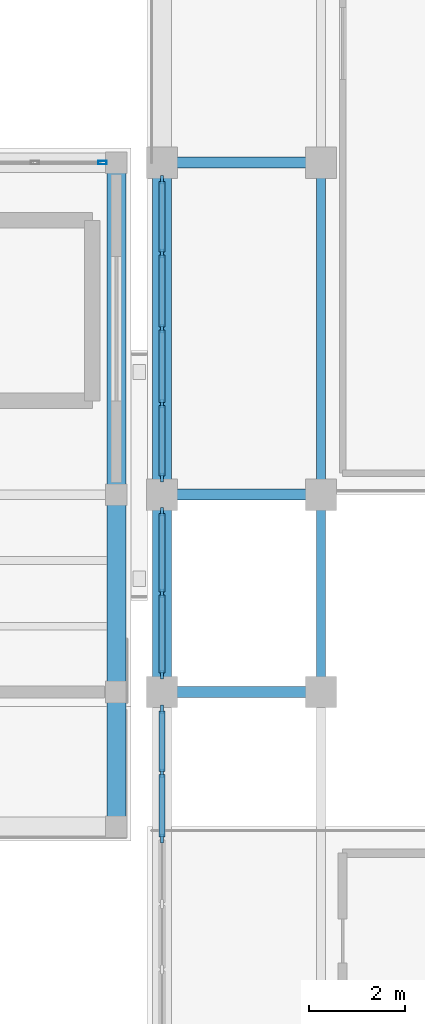
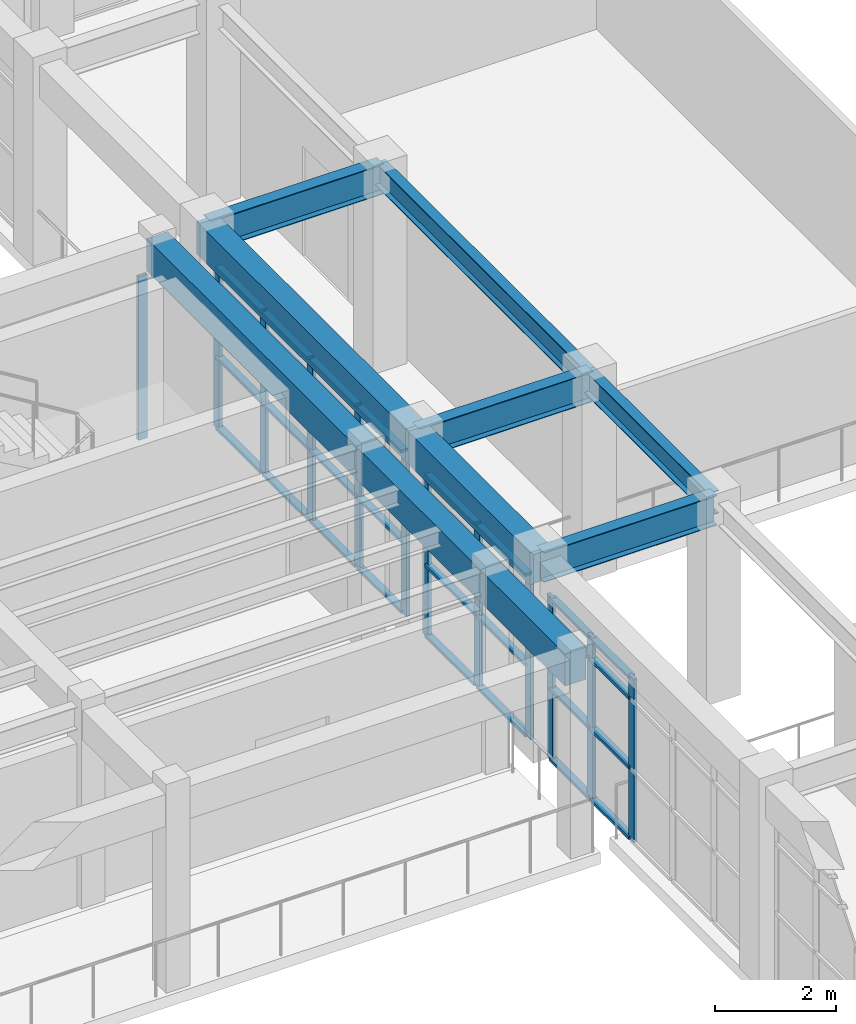
# One storey, part 20 of 66: 44 members, 10 beams, 4 elements without a shape of their own.
"""IFC4 building model written with IfcOpenShell, lengths in metres."""

from ifc_helpers import new_model, si_unit, direction, frame, origin, origin_2d, place, context, subcontext, project, spatial, rectangle, hollow_rectangle, i_section, extrude, material, layer, layer_set, material_profile, profile_set, type_object, element, aggregate, save


model = new_model("IFC4")

# Units and contexts
model_context = context("Model", 3, precision=1e-05, world=origin(), true_north=direction((0.0, 1.0)))
body_context = subcontext(model_context, "Body", "Model", "MODEL_VIEW")
ifc_project = project(units=[si_unit("LENGTHUNIT", "METRE"), si_unit("AREAUNIT", "SQUARE_METRE"), si_unit("VOLUMEUNIT", "CUBIC_METRE"), si_unit("PLANEANGLEUNIT", "RADIAN"), si_unit("MASSUNIT", "GRAM", prefix="KILO")], contexts=[model_context])

# Site, building, storey
site_placement = place(None, origin())
site = spatial("IfcSite", under=ifc_project, at=site_placement, CompositionType="ELEMENT")
building_placement = place(site_placement, origin())
building = spatial("IfcBuilding", under=site, at=building_placement, Name="Candilejo Ridge Gondola Terminal", CompositionType="ELEMENT")
storey_placement = place(building_placement, frame((0.0, 0.0, 14.39990234375)))
storey = spatial("IfcBuildingStorey", under=building, at=storey_placement, Name="L03", CompositionType="ELEMENT", Elevation=14.39990234375)

# Curtain wall, member
ifc_material_1 = material(Name="Anodised aluminium AA 6063-T6", Category="aluminium")
ifc_layer_1 = layer(ifc_material_1, 0.169921875)
ifc_layer_set_1 = layer_set([ifc_layer_1], Name="ARC-CW-GALLERY-3200-720X329")
curtain_wall_type_1 = type_object("IfcCurtainWallType", Name="ARC-CW-GALLERY-3200-720X329", PredefinedType="NOTDEFINED", material=ifc_layer_set_1)
curtain_wall_1_placement = place(storey_placement, origin())
curtain_wall_1 = element("IfcCurtainWall", 1, at=curtain_wall_1_placement, inside=storey, type_object=curtain_wall_type_1, Name="Curtain wall V3 L03-099", PredefinedType="NOTDEFINED")
ifc_material_2 = material(Name="Anodised aluminium AA 6063-T6", Category="aluminium")
ifc_material_profile_1 = material_profile(ifc_material_2, hollow_rectangle(XDim=0.074951171875, YDim=0.169921875, WallThickness=0.00390625, at=origin_2d()))
ifc_profile_set_1 = profile_set([ifc_material_profile_1], Name="Anodised aluminium AA 6063-T6")
member_type_1 = type_object("IfcMemberType", Name="ARC-CW-MULLION", PredefinedType="MULLION", material=ifc_profile_set_1)
member_1_placement = place(storey_placement, frame((132.66259765625, 36.699951171875, 0.0), z_axis=(0.0, 0.0, 1.0), x_axis=(0.0, 1.0, 0.0)))
member_1 = element("IfcMember", 2, at=member_1_placement, type_object=member_type_1, Name="CW-72X32 mullion 6", PredefinedType="MULLION", context=body_context, shape_type="SweptSolid", body=[
    extrude(hollow_rectangle(XDim=0.074951171875, YDim=0.169921875, WallThickness=0.00390625, at=origin_2d()), origin(), (0.0, 0.0, 1.0), 3.2900390625),
])
aggregate(curtain_wall_1, [member_1])

# Curtain wall, members
ifc_material_3 = material(Name="Anodised aluminium AA 6063-T6", Category="aluminium")
ifc_layer_2 = layer(ifc_material_3, 0.169921875)
ifc_layer_set_2 = layer_set([ifc_layer_2], Name="ARC-CW-HALL-3800-680X329")
curtain_wall_type_2 = type_object("IfcCurtainWallType", Name="ARC-CW-HALL-3800-680X329", PredefinedType="NOTDEFINED", material=ifc_layer_set_2)
curtain_wall_2_placement = place(storey_placement, origin())
curtain_wall_2 = element("IfcCurtainWall", 3, at=curtain_wall_2_placement, inside=storey, type_object=curtain_wall_type_2, Name="Curtain wall V4 L03-155", PredefinedType="NOTDEFINED")
ifc_material_4 = material(Name="Anodised aluminium AA 6063-T6", Category="aluminium")
ifc_material_profile_2 = material_profile(ifc_material_4, rectangle(XDim=0.06494140625, YDim=0.179931640625, at=origin_2d()))
ifc_profile_set_2 = profile_set([ifc_material_profile_2], Name="Anodised aluminium AA 6063-T6")
member_type_2 = type_object("IfcMemberType", Name="ARC-CW-MULLION-180", PredefinedType="MULLION", material=ifc_profile_set_2)
member_2_placement = place(storey_placement, frame((133.89990234375, 22.655029296875, 0.0), z_axis=(0.0, 0.0, 1.0), x_axis=(-1.0, 0.0, 0.0)))
member_2 = element("IfcMember", 4, at=member_2_placement, type_object=member_type_2, Name="CW-68X32 mullion 4", PredefinedType="MULLION", context=body_context, shape_type="SweptSolid", body=[
    extrude(rectangle(XDim=0.06494140625, YDim=0.179931640625, at=origin_2d()), origin(), (0.0, 0.0, 1.0), 3.2900390625),
])
member_3_placement = place(storey_placement, frame((133.89990234375, 24.014892578125, 0.0), z_axis=(0.0, 0.0, 1.0), x_axis=(-1.0, 0.0, 0.0)))
member_3 = element("IfcMember", 5, at=member_3_placement, type_object=member_type_2, Name="CW-68X32 mullion 5", PredefinedType="MULLION", context=body_context, shape_type="SweptSolid", body=[
    extrude(rectangle(XDim=0.06494140625, YDim=0.179931640625, at=origin_2d()), origin(), (0.0, 0.0, 1.0), 3.2900390625),
])
member_4_placement = place(storey_placement, frame((133.89990234375, 25.342529296875, 0.0), z_axis=(0.0, 0.0, 1.0), x_axis=(-1.0, 0.0, 0.0)))
member_4 = element("IfcMember", 6, at=member_4_placement, type_object=member_type_2, Name="CW-68X32 mullion 6", PredefinedType="MULLION", context=body_context, shape_type="SweptSolid", body=[
    extrude(rectangle(XDim=0.06494140625, YDim=0.179931640625, at=origin_2d()), origin(), (0.0, 0.0, 1.0), 3.2900390625),
])

ifc_material_5 = material(Name="Anodised aluminium AA 6063-T6", Category="aluminium")
ifc_layer_3 = layer(ifc_material_5, 0.169921875)
ifc_layer_set_3 = layer_set([ifc_layer_3], Name="ARC-CW-HALL-3800-345X329")
curtain_wall_type_3 = type_object("IfcCurtainWallType", Name="ARC-CW-HALL-3800-345X329", PredefinedType="NOTDEFINED", material=ifc_layer_set_3)
curtain_wall_3_placement = place(storey_placement, origin())
curtain_wall_3 = element("IfcCurtainWall", 7, at=curtain_wall_3_placement, inside=storey, type_object=curtain_wall_type_3, Name="Curtain wall V4 L03-157", PredefinedType="NOTDEFINED")
member_5_placement = place(storey_placement, frame((133.89990234375, 26.0576171875, 0.0), z_axis=(0.0, 0.0, 1.0), x_axis=(-1.0, 0.0, 0.0)))
member_5 = element("IfcMember", 8, at=member_5_placement, type_object=member_type_2, Name="CW-34X32 mullion 1", PredefinedType="MULLION", context=body_context, shape_type="SweptSolid", body=[
    extrude(rectangle(XDim=0.06494140625, YDim=0.179931640625, at=origin_2d()), origin(), (0.0, 0.0, 1.0), 3.2900390625),
])
member_6_placement = place(storey_placement, frame((133.89990234375, 27.75, 0.0), z_axis=(0.0, 0.0, 1.0), x_axis=(-1.0, 0.0, 0.0)))
member_6 = element("IfcMember", 9, at=member_6_placement, type_object=member_type_2, Name="CW-34X32 mullion 2", PredefinedType="MULLION", context=body_context, shape_type="SweptSolid", body=[
    extrude(rectangle(XDim=0.06494140625, YDim=0.179931640625, at=origin_2d()), origin(), (0.0, 0.0, 1.0), 3.2900390625),
])
member_7_placement = place(storey_placement, frame((133.89990234375, 29.4423828125, 0.0), z_axis=(0.0, 0.0, 1.0), x_axis=(-1.0, 0.0, 0.0)))
member_7 = element("IfcMember", 10, at=member_7_placement, type_object=member_type_2, Name="CW-34X32 mullion 3", PredefinedType="MULLION", context=body_context, shape_type="SweptSolid", body=[
    extrude(rectangle(XDim=0.06494140625, YDim=0.179931640625, at=origin_2d()), origin(), (0.0, 0.0, 1.0), 3.2900390625),
])

ifc_material_6 = material(Name="Anodised aluminium AA 6063-T6", Category="aluminium")
ifc_layer_4 = layer(ifc_material_6, 0.169921875)
ifc_layer_set_4 = layer_set([ifc_layer_4], Name="ARC-CW-HALL-3800-625X329")
curtain_wall_type_4 = type_object("IfcCurtainWallType", Name="ARC-CW-HALL-3800-625X329", PredefinedType="NOTDEFINED", material=ifc_layer_set_4)
curtain_wall_4_placement = place(storey_placement, origin())
curtain_wall_4 = element("IfcCurtainWall", 11, at=curtain_wall_4_placement, inside=storey, type_object=curtain_wall_type_4, Name="Curtain wall V4 L03-159", PredefinedType="NOTDEFINED")
member_8_placement = place(storey_placement, frame((133.89990234375, 30.157470703125, 0.0), z_axis=(0.0, 0.0, 1.0), x_axis=(-1.0, 0.0, 0.0)))
member_8 = element("IfcMember", 12, at=member_8_placement, type_object=member_type_2, Name="CW-62X32 mullion 1", PredefinedType="MULLION", context=body_context, shape_type="SweptSolid", body=[
    extrude(rectangle(XDim=0.06494140625, YDim=0.179931640625, at=origin_2d()), origin(), (0.0, 0.0, 1.0), 3.2900390625),
])
member_9_placement = place(storey_placement, frame((133.89990234375, 31.6875, 0.0), z_axis=(0.0, 0.0, 1.0), x_axis=(-1.0, 0.0, 0.0)))
member_9 = element("IfcMember", 13, at=member_9_placement, type_object=member_type_2, Name="CW-62X32 mullion 2", PredefinedType="MULLION", context=body_context, shape_type="SweptSolid", body=[
    extrude(rectangle(XDim=0.06494140625, YDim=0.179931640625, at=origin_2d()), origin(), (0.0, 0.0, 1.0), 3.2900390625),
])
member_10_placement = place(storey_placement, frame((133.89990234375, 33.25, 0.0), z_axis=(0.0, 0.0, 1.0), x_axis=(-1.0, 0.0, 0.0)))
member_10 = element("IfcMember", 14, at=member_10_placement, type_object=member_type_2, Name="CW-62X32 mullion 3", PredefinedType="MULLION", context=body_context, shape_type="SweptSolid", body=[
    extrude(rectangle(XDim=0.06494140625, YDim=0.179931640625, at=origin_2d()), origin(), (0.0, 0.0, 1.0), 3.2900390625),
])
member_11_placement = place(storey_placement, frame((133.89990234375, 34.8125, 0.0), z_axis=(0.0, 0.0, 1.0), x_axis=(-1.0, 0.0, 0.0)))
member_11 = element("IfcMember", 15, at=member_11_placement, type_object=member_type_2, Name="CW-62X32 mullion 4", PredefinedType="MULLION", context=body_context, shape_type="SweptSolid", body=[
    extrude(rectangle(XDim=0.06494140625, YDim=0.179931640625, at=origin_2d()), origin(), (0.0, 0.0, 1.0), 3.2900390625),
])
member_12_placement = place(storey_placement, frame((133.89990234375, 36.342529296875, 0.0), z_axis=(0.0, 0.0, 1.0), x_axis=(-1.0, 0.0, 0.0)))
member_12 = element("IfcMember", 16, at=member_12_placement, type_object=member_type_2, Name="CW-62X32 mullion 5", PredefinedType="MULLION", context=body_context, shape_type="SweptSolid", body=[
    extrude(rectangle(XDim=0.06494140625, YDim=0.179931640625, at=origin_2d()), origin(), (0.0, 0.0, 1.0), 3.2900390625),
])

# Member
ifc_material_7 = material(Name="Anodised aluminium AA 6063-T6", Category="aluminium")
ifc_material_profile_3 = material_profile(ifc_material_7, rectangle(XDim=0.1298828125, YDim=0.06005859375, at=origin_2d()))
ifc_profile_set_3 = profile_set([ifc_material_profile_3], Name="Anodised aluminium AA 6063-T6")
member_type_3 = type_object("IfcMemberType", Name="ARC-CW-TRANSOM-130", PredefinedType="USERDEFINED", material=ifc_profile_set_3)
member_13_placement = place(storey_placement, frame((133.89990234375, 22.6875, 0.030029296875), z_axis=(0.0, 1.0, 0.0), x_axis=(-1.0, 0.0, 0.0)))
member_13 = element("IfcMember", 17, at=member_13_placement, type_object=member_type_3, Name="CW-68X32 transom 4.1", ObjectType="TRANSOM", PredefinedType="USERDEFINED", context=body_context, shape_type="SweptSolid", body=[
    extrude(rectangle(XDim=0.1298828125, YDim=0.06005859375, at=origin_2d()), origin(), (0.0, 0.0, 1.0), 1.294921875),
])

member_14_placement = place(storey_placement, frame((133.89990234375, 22.6875, 1.4501953125), z_axis=(0.0, 1.0, 0.0), x_axis=(-1.0, 0.0, 0.0)))
member_14 = element("IfcMember", 18, at=member_14_placement, type_object=member_type_3, Name="CW-68X32 transom 4.2", ObjectType="TRANSOM", PredefinedType="USERDEFINED", context=body_context, shape_type="SweptSolid", body=[
    extrude(rectangle(XDim=0.1298828125, YDim=0.06005859375, at=origin_2d()), origin(), (0.0, 0.0, 1.0), 1.294921875),
])

member_15_placement = place(storey_placement, frame((133.89990234375, 22.6875, 2.85009765625), z_axis=(0.0, 1.0, 0.0), x_axis=(-1.0, 0.0, 0.0)))
member_15 = element("IfcMember", 19, at=member_15_placement, type_object=member_type_3, Name="CW-68X32 transom 4.3", ObjectType="TRANSOM", PredefinedType="USERDEFINED", context=body_context, shape_type="SweptSolid", body=[
    extrude(rectangle(XDim=0.1298828125, YDim=0.06005859375, at=origin_2d()), origin(), (0.0, 0.0, 1.0), 1.294921875),
])

member_16_placement = place(storey_placement, frame((133.89990234375, 22.6875, 3.260009765625), z_axis=(0.0, 1.0, 0.0), x_axis=(-1.0, 0.0, 0.0)))
member_16 = element("IfcMember", 20, at=member_16_placement, type_object=member_type_3, Name="CW-68X32 transom 4.4", ObjectType="TRANSOM", PredefinedType="USERDEFINED", context=body_context, shape_type="SweptSolid", body=[
    extrude(rectangle(XDim=0.1298828125, YDim=0.06005859375, at=origin_2d()), origin(), (0.0, 0.0, 1.0), 1.294921875),
])

member_17_placement = place(storey_placement, frame((133.89990234375, 24.047607421875, 0.030029296875), z_axis=(0.0, 1.0, 0.0), x_axis=(-1.0, 0.0, 0.0)))
member_17 = element("IfcMember", 21, at=member_17_placement, type_object=member_type_3, Name="CW-68X32 transom 5.1", ObjectType="TRANSOM", PredefinedType="USERDEFINED", context=body_context, shape_type="SweptSolid", body=[
    extrude(rectangle(XDim=0.1298828125, YDim=0.06005859375, at=origin_2d()), origin(), (0.0, 0.0, 1.0), 1.262451171875),
])

member_18_placement = place(storey_placement, frame((133.89990234375, 24.047607421875, 1.4501953125), z_axis=(0.0, 1.0, 0.0), x_axis=(-1.0, 0.0, 0.0)))
member_18 = element("IfcMember", 22, at=member_18_placement, type_object=member_type_3, Name="CW-68X32 transom 5.2", ObjectType="TRANSOM", PredefinedType="USERDEFINED", context=body_context, shape_type="SweptSolid", body=[
    extrude(rectangle(XDim=0.1298828125, YDim=0.06005859375, at=origin_2d()), origin(), (0.0, 0.0, 1.0), 1.262451171875),
])

member_19_placement = place(storey_placement, frame((133.89990234375, 24.047607421875, 2.85009765625), z_axis=(0.0, 1.0, 0.0), x_axis=(-1.0, 0.0, 0.0)))
member_19 = element("IfcMember", 23, at=member_19_placement, type_object=member_type_3, Name="CW-68X32 transom 5.3", ObjectType="TRANSOM", PredefinedType="USERDEFINED", context=body_context, shape_type="SweptSolid", body=[
    extrude(rectangle(XDim=0.1298828125, YDim=0.06005859375, at=origin_2d()), origin(), (0.0, 0.0, 1.0), 1.262451171875),
])

member_20_placement = place(storey_placement, frame((133.89990234375, 24.047607421875, 3.260009765625), z_axis=(0.0, 1.0, 0.0), x_axis=(-1.0, 0.0, 0.0)))
member_20 = element("IfcMember", 24, at=member_20_placement, type_object=member_type_3, Name="CW-68X32 transom 5.4", ObjectType="TRANSOM", PredefinedType="USERDEFINED", context=body_context, shape_type="SweptSolid", body=[
    extrude(rectangle(XDim=0.1298828125, YDim=0.06005859375, at=origin_2d()), origin(), (0.0, 0.0, 1.0), 1.262451171875),
])

aggregate(curtain_wall_2, [member_2, member_3, member_4, member_13, member_14, member_15, member_16, member_17, member_18, member_19, member_20])

member_21_placement = place(storey_placement, frame((133.89990234375, 26.090087890625, 0.030029296875), z_axis=(0.0, 1.0, 0.0), x_axis=(-1.0, 0.0, 0.0)))
member_21 = element("IfcMember", 25, at=member_21_placement, type_object=member_type_3, Name="CW-34X32 transom 1.1", ObjectType="TRANSOM", PredefinedType="USERDEFINED", context=body_context, shape_type="SweptSolid", body=[
    extrude(rectangle(XDim=0.1298828125, YDim=0.06005859375, at=origin_2d()), origin(), (0.0, 0.0, 1.0), 1.62744140625),
])

member_22_placement = place(storey_placement, frame((133.89990234375, 26.090087890625, 1.4501953125), z_axis=(0.0, 1.0, 0.0), x_axis=(-1.0, 0.0, 0.0)))
member_22 = element("IfcMember", 26, at=member_22_placement, type_object=member_type_3, Name="CW-34X32 transom 1.2", ObjectType="TRANSOM", PredefinedType="USERDEFINED", context=body_context, shape_type="SweptSolid", body=[
    extrude(rectangle(XDim=0.1298828125, YDim=0.06005859375, at=origin_2d()), origin(), (0.0, 0.0, 1.0), 1.62744140625),
])

member_23_placement = place(storey_placement, frame((133.89990234375, 26.090087890625, 2.85009765625), z_axis=(0.0, 1.0, 0.0), x_axis=(-1.0, 0.0, 0.0)))
member_23 = element("IfcMember", 27, at=member_23_placement, type_object=member_type_3, Name="CW-34X32 transom 1.3", ObjectType="TRANSOM", PredefinedType="USERDEFINED", context=body_context, shape_type="SweptSolid", body=[
    extrude(rectangle(XDim=0.1298828125, YDim=0.06005859375, at=origin_2d()), origin(), (0.0, 0.0, 1.0), 1.62744140625),
])

member_24_placement = place(storey_placement, frame((133.89990234375, 26.090087890625, 3.260009765625), z_axis=(0.0, 1.0, 0.0), x_axis=(-1.0, 0.0, 0.0)))
member_24 = element("IfcMember", 28, at=member_24_placement, type_object=member_type_3, Name="CW-34X32 transom 1.4", ObjectType="TRANSOM", PredefinedType="USERDEFINED", context=body_context, shape_type="SweptSolid", body=[
    extrude(rectangle(XDim=0.1298828125, YDim=0.06005859375, at=origin_2d()), origin(), (0.0, 0.0, 1.0), 1.62744140625),
])

member_25_placement = place(storey_placement, frame((133.89990234375, 27.782470703125, 0.030029296875), z_axis=(0.0, 1.0, 0.0), x_axis=(-1.0, 0.0, 0.0)))
member_25 = element("IfcMember", 29, at=member_25_placement, type_object=member_type_3, Name="CW-34X32 transom 2.1", ObjectType="TRANSOM", PredefinedType="USERDEFINED", context=body_context, shape_type="SweptSolid", body=[
    extrude(rectangle(XDim=0.1298828125, YDim=0.06005859375, at=origin_2d()), origin(), (0.0, 0.0, 1.0), 1.62744140625),
])

member_26_placement = place(storey_placement, frame((133.89990234375, 27.782470703125, 1.4501953125), z_axis=(0.0, 1.0, 0.0), x_axis=(-1.0, 0.0, 0.0)))
member_26 = element("IfcMember", 30, at=member_26_placement, type_object=member_type_3, Name="CW-34X32 transom 2.2", ObjectType="TRANSOM", PredefinedType="USERDEFINED", context=body_context, shape_type="SweptSolid", body=[
    extrude(rectangle(XDim=0.1298828125, YDim=0.06005859375, at=origin_2d()), origin(), (0.0, 0.0, 1.0), 1.62744140625),
])

member_27_placement = place(storey_placement, frame((133.89990234375, 27.782470703125, 2.85009765625), z_axis=(0.0, 1.0, 0.0), x_axis=(-1.0, 0.0, 0.0)))
member_27 = element("IfcMember", 31, at=member_27_placement, type_object=member_type_3, Name="CW-34X32 transom 2.3", ObjectType="TRANSOM", PredefinedType="USERDEFINED", context=body_context, shape_type="SweptSolid", body=[
    extrude(rectangle(XDim=0.1298828125, YDim=0.06005859375, at=origin_2d()), origin(), (0.0, 0.0, 1.0), 1.62744140625),
])

member_28_placement = place(storey_placement, frame((133.89990234375, 27.782470703125, 3.260009765625), z_axis=(0.0, 1.0, 0.0), x_axis=(-1.0, 0.0, 0.0)))
member_28 = element("IfcMember", 32, at=member_28_placement, type_object=member_type_3, Name="CW-34X32 transom 2.4", ObjectType="TRANSOM", PredefinedType="USERDEFINED", context=body_context, shape_type="SweptSolid", body=[
    extrude(rectangle(XDim=0.1298828125, YDim=0.06005859375, at=origin_2d()), origin(), (0.0, 0.0, 1.0), 1.62744140625),
])

aggregate(curtain_wall_3, [member_5, member_6, member_7, member_21, member_22, member_23, member_24, member_25, member_26, member_27, member_28])

member_29_placement = place(storey_placement, frame((133.89990234375, 30.18994140625, 0.030029296875), z_axis=(0.0, 1.0, 0.0), x_axis=(-1.0, 0.0, 0.0)))
member_29 = element("IfcMember", 33, at=member_29_placement, type_object=member_type_3, Name="CW-62X32 transom 1.1", ObjectType="TRANSOM", PredefinedType="USERDEFINED", context=body_context, shape_type="SweptSolid", body=[
    extrude(rectangle(XDim=0.1298828125, YDim=0.06005859375, at=origin_2d()), origin(), (0.0, 0.0, 1.0), 1.465087890625),
])

member_30_placement = place(storey_placement, frame((133.89990234375, 30.18994140625, 1.4501953125), z_axis=(0.0, 1.0, 0.0), x_axis=(-1.0, 0.0, 0.0)))
member_30 = element("IfcMember", 34, at=member_30_placement, type_object=member_type_3, Name="CW-62X32 transom 1.2", ObjectType="TRANSOM", PredefinedType="USERDEFINED", context=body_context, shape_type="SweptSolid", body=[
    extrude(rectangle(XDim=0.1298828125, YDim=0.06005859375, at=origin_2d()), origin(), (0.0, 0.0, 1.0), 1.465087890625),
])

member_31_placement = place(storey_placement, frame((133.89990234375, 30.18994140625, 2.85009765625), z_axis=(0.0, 1.0, 0.0), x_axis=(-1.0, 0.0, 0.0)))
member_31 = element("IfcMember", 35, at=member_31_placement, type_object=member_type_3, Name="CW-62X32 transom 1.3", ObjectType="TRANSOM", PredefinedType="USERDEFINED", context=body_context, shape_type="SweptSolid", body=[
    extrude(rectangle(XDim=0.1298828125, YDim=0.06005859375, at=origin_2d()), origin(), (0.0, 0.0, 1.0), 1.465087890625),
])

member_32_placement = place(storey_placement, frame((133.89990234375, 30.18994140625, 3.260009765625), z_axis=(0.0, 1.0, 0.0), x_axis=(-1.0, 0.0, 0.0)))
member_32 = element("IfcMember", 36, at=member_32_placement, type_object=member_type_3, Name="CW-62X32 transom 1.4", ObjectType="TRANSOM", PredefinedType="USERDEFINED", context=body_context, shape_type="SweptSolid", body=[
    extrude(rectangle(XDim=0.1298828125, YDim=0.06005859375, at=origin_2d()), origin(), (0.0, 0.0, 1.0), 1.465087890625),
])

member_33_placement = place(storey_placement, frame((133.89990234375, 31.719970703125, 0.030029296875), z_axis=(0.0, 1.0, 0.0), x_axis=(-1.0, 0.0, 0.0)))
member_33 = element("IfcMember", 37, at=member_33_placement, type_object=member_type_3, Name="CW-62X32 transom 2.1", ObjectType="TRANSOM", PredefinedType="USERDEFINED", context=body_context, shape_type="SweptSolid", body=[
    extrude(rectangle(XDim=0.1298828125, YDim=0.06005859375, at=origin_2d()), origin(), (0.0, 0.0, 1.0), 1.49755859375),
])

member_34_placement = place(storey_placement, frame((133.89990234375, 31.719970703125, 1.4501953125), z_axis=(0.0, 1.0, 0.0), x_axis=(-1.0, 0.0, 0.0)))
member_34 = element("IfcMember", 38, at=member_34_placement, type_object=member_type_3, Name="CW-62X32 transom 2.2", ObjectType="TRANSOM", PredefinedType="USERDEFINED", context=body_context, shape_type="SweptSolid", body=[
    extrude(rectangle(XDim=0.1298828125, YDim=0.06005859375, at=origin_2d()), origin(), (0.0, 0.0, 1.0), 1.49755859375),
])

member_35_placement = place(storey_placement, frame((133.89990234375, 31.719970703125, 2.85009765625), z_axis=(0.0, 1.0, 0.0), x_axis=(-1.0, 0.0, 0.0)))
member_35 = element("IfcMember", 39, at=member_35_placement, type_object=member_type_3, Name="CW-62X32 transom 2.3", ObjectType="TRANSOM", PredefinedType="USERDEFINED", context=body_context, shape_type="SweptSolid", body=[
    extrude(rectangle(XDim=0.1298828125, YDim=0.06005859375, at=origin_2d()), origin(), (0.0, 0.0, 1.0), 1.49755859375),
])

member_36_placement = place(storey_placement, frame((133.89990234375, 31.719970703125, 3.260009765625), z_axis=(0.0, 1.0, 0.0), x_axis=(-1.0, 0.0, 0.0)))
member_36 = element("IfcMember", 40, at=member_36_placement, type_object=member_type_3, Name="CW-62X32 transom 2.4", ObjectType="TRANSOM", PredefinedType="USERDEFINED", context=body_context, shape_type="SweptSolid", body=[
    extrude(rectangle(XDim=0.1298828125, YDim=0.06005859375, at=origin_2d()), origin(), (0.0, 0.0, 1.0), 1.49755859375),
])

member_37_placement = place(storey_placement, frame((133.89990234375, 33.282470703125, 0.030029296875), z_axis=(0.0, 1.0, 0.0), x_axis=(-1.0, 0.0, 0.0)))
member_37 = element("IfcMember", 41, at=member_37_placement, type_object=member_type_3, Name="CW-62X32 transom 3.1", ObjectType="TRANSOM", PredefinedType="USERDEFINED", context=body_context, shape_type="SweptSolid", body=[
    extrude(rectangle(XDim=0.1298828125, YDim=0.06005859375, at=origin_2d()), origin(), (0.0, 0.0, 1.0), 1.49755859375),
])

member_38_placement = place(storey_placement, frame((133.89990234375, 33.282470703125, 1.4501953125), z_axis=(0.0, 1.0, 0.0), x_axis=(-1.0, 0.0, 0.0)))
member_38 = element("IfcMember", 42, at=member_38_placement, type_object=member_type_3, Name="CW-62X32 transom 3.2", ObjectType="TRANSOM", PredefinedType="USERDEFINED", context=body_context, shape_type="SweptSolid", body=[
    extrude(rectangle(XDim=0.1298828125, YDim=0.06005859375, at=origin_2d()), origin(), (0.0, 0.0, 1.0), 1.49755859375),
])

member_39_placement = place(storey_placement, frame((133.89990234375, 33.282470703125, 2.85009765625), z_axis=(0.0, 1.0, 0.0), x_axis=(-1.0, 0.0, 0.0)))
member_39 = element("IfcMember", 43, at=member_39_placement, type_object=member_type_3, Name="CW-62X32 transom 3.3", ObjectType="TRANSOM", PredefinedType="USERDEFINED", context=body_context, shape_type="SweptSolid", body=[
    extrude(rectangle(XDim=0.1298828125, YDim=0.06005859375, at=origin_2d()), origin(), (0.0, 0.0, 1.0), 1.49755859375),
])

member_40_placement = place(storey_placement, frame((133.89990234375, 33.282470703125, 3.260009765625), z_axis=(0.0, 1.0, 0.0), x_axis=(-1.0, 0.0, 0.0)))
member_40 = element("IfcMember", 44, at=member_40_placement, type_object=member_type_3, Name="CW-62X32 transom 3.4", ObjectType="TRANSOM", PredefinedType="USERDEFINED", context=body_context, shape_type="SweptSolid", body=[
    extrude(rectangle(XDim=0.1298828125, YDim=0.06005859375, at=origin_2d()), origin(), (0.0, 0.0, 1.0), 1.49755859375),
])

member_41_placement = place(storey_placement, frame((133.89990234375, 34.844970703125, 0.030029296875), z_axis=(0.0, 1.0, 0.0), x_axis=(-1.0, 0.0, 0.0)))
member_41 = element("IfcMember", 45, at=member_41_placement, type_object=member_type_3, Name="CW-62X32 transom 4.1", ObjectType="TRANSOM", PredefinedType="USERDEFINED", context=body_context, shape_type="SweptSolid", body=[
    extrude(rectangle(XDim=0.1298828125, YDim=0.06005859375, at=origin_2d()), origin(), (0.0, 0.0, 1.0), 1.465087890625),
])

member_42_placement = place(storey_placement, frame((133.89990234375, 34.844970703125, 1.4501953125), z_axis=(0.0, 1.0, 0.0), x_axis=(-1.0, 0.0, 0.0)))
member_42 = element("IfcMember", 46, at=member_42_placement, type_object=member_type_3, Name="CW-62X32 transom 4.2", ObjectType="TRANSOM", PredefinedType="USERDEFINED", context=body_context, shape_type="SweptSolid", body=[
    extrude(rectangle(XDim=0.1298828125, YDim=0.06005859375, at=origin_2d()), origin(), (0.0, 0.0, 1.0), 1.465087890625),
])

member_43_placement = place(storey_placement, frame((133.89990234375, 34.844970703125, 2.85009765625), z_axis=(0.0, 1.0, 0.0), x_axis=(-1.0, 0.0, 0.0)))
member_43 = element("IfcMember", 47, at=member_43_placement, type_object=member_type_3, Name="CW-62X32 transom 4.3", ObjectType="TRANSOM", PredefinedType="USERDEFINED", context=body_context, shape_type="SweptSolid", body=[
    extrude(rectangle(XDim=0.1298828125, YDim=0.06005859375, at=origin_2d()), origin(), (0.0, 0.0, 1.0), 1.465087890625),
])

member_44_placement = place(storey_placement, frame((133.89990234375, 34.844970703125, 3.260009765625), z_axis=(0.0, 1.0, 0.0), x_axis=(-1.0, 0.0, 0.0)))
member_44 = element("IfcMember", 48, at=member_44_placement, type_object=member_type_3, Name="CW-62X32 transom 4.4", ObjectType="TRANSOM", PredefinedType="USERDEFINED", context=body_context, shape_type="SweptSolid", body=[
    extrude(rectangle(XDim=0.1298828125, YDim=0.06005859375, at=origin_2d()), origin(), (0.0, 0.0, 1.0), 1.465087890625),
])

aggregate(curtain_wall_4, [member_8, member_9, member_10, member_11, member_12, member_29, member_30, member_31, member_32, member_33, member_34, member_35, member_36, member_37, member_38, member_39, member_40, member_41, member_42, member_43, member_44])

# Beams
ifc_material_8 = material(Name="Steel ASTM A992 Grade 50", Category="steel")
ifc_material_profile_4 = material_profile(ifc_material_8, i_section(OverallWidth=0.19189453125, OverallDepth=0.462890625, WebThickness=0.010498046875, FlangeThickness=0.017578125, at=origin_2d()))
ifc_profile_set_4 = profile_set([ifc_material_profile_4], Name="Steel ASTM A992 Grade 50")
beam_type_1 = type_object("IfcBeamType", Name="STR-BM-W460X89", PredefinedType="BEAM", material=ifc_profile_set_4)
beam_1_placement = place(storey_placement, frame((137.199951171875, 25.699951171875, 3.7685546875), z_axis=(0.0, 1.0, 0.0), x_axis=(-1.0, 0.0, 0.0)))
element("IfcBeam", 49, at=beam_1_placement, inside=storey, type_object=beam_type_1, Name="Beam Y V4 L03 Y05-Y06@X22", PredefinedType="BEAM", context=body_context, shape_type="SweptSolid", body=[
    extrude(i_section(OverallWidth=0.19189453125, OverallDepth=0.462890625, WebThickness=0.010498046875, FlangeThickness=0.017578125, at=origin_2d()), origin(), (0.0, 0.0, 1.0), 4.10009765625),
])
beam_2_placement = place(storey_placement, frame((137.199951171875, 29.800048828125, 3.7685546875), z_axis=(0.0, 1.0, 0.0), x_axis=(-1.0, 0.0, 0.0)))
element("IfcBeam", 50, at=beam_2_placement, inside=storey, type_object=beam_type_1, Name="Beam Y V4 L03 Y06-Y07@X22", PredefinedType="BEAM", context=body_context, shape_type="SweptSolid", body=[
    extrude(i_section(OverallWidth=0.19189453125, OverallDepth=0.462890625, WebThickness=0.010498046875, FlangeThickness=0.017578125, at=origin_2d()), origin(), (0.0, 0.0, 1.0), 6.89990234375),
])
ifc_material_9 = material(Name="Steel ASTM A992 Grade 50", Category="steel")
ifc_material_profile_5 = material_profile(ifc_material_9, i_section(OverallWidth=0.22802734375, OverallDepth=0.60302734375, WebThickness=0.010498046875, FlangeThickness=0.014892578125, at=origin_2d()))
ifc_profile_set_5 = profile_set([ifc_material_profile_5], Name="Steel ASTM A992 Grade 50")
beam_type_2 = type_object("IfcBeamType", Name="STR-BM-W610X101", PredefinedType="BEAM", material=ifc_profile_set_5)
for number, where, z_axis, x_axis, name in (
    (51, (133.89990234375, 25.699951171875, 3.698486328125), (1.0, 0.0, 0.0), (0.0, 1.0, 0.0), "Beam X V4 L03 X21-X22@Y05"),
    (52, (133.89990234375, 29.800048828125, 3.698486328125), (1.0, 0.0, 0.0), (0.0, 1.0, 0.0), "Beam X V4 L03 X21-X22@Y06"),
    (53, (133.89990234375, 36.699951171875, 3.698486328125), (1.0, 0.0, 0.0), (0.0, 1.0, 0.0), "Beam X V4 L03 X21-X22@Y07"),
):
    element("IfcBeam", number, at=place(storey_placement, frame(where, z_axis=z_axis, x_axis=x_axis)), inside=storey, type_object=beam_type_2, Name=name, PredefinedType="BEAM", context=body_context, shape_type="SweptSolid", body=[
        extrude(i_section(OverallWidth=0.22802734375, OverallDepth=0.60302734375, WebThickness=0.010498046875, FlangeThickness=0.014892578125, at=origin_2d()), origin(), (0.0, 0.0, 1.0), 3.300048828125),
    ])
ifc_material_10 = material(Name="Concrete f'c 35 MPa (C35/45)", Category="concrete")
ifc_material_profile_6 = material_profile(ifc_material_10, rectangle(XDim=0.39990234375, YDim=0.64990234375, at=origin_2d()))
ifc_profile_set_6 = profile_set([ifc_material_profile_6], Name="Concrete f'c 35 MPa (C35/45)")
beam_type_3 = type_object("IfcBeamType", Name="STR-SPN-RC400X650", PredefinedType="SPANDREL", material=ifc_profile_set_6)
beam_3_placement = place(storey_placement, frame((132.949951171875, 22.89990234375, 3.6650390625), z_axis=(0.0, 1.0, 0.0), x_axis=(-1.0, 0.0, 0.0)))
element("IfcBeam", 54, at=beam_3_placement, inside=storey, type_object=beam_type_3, Name="Beam Y V3 L03 Y04-Y05@X20", PredefinedType="SPANDREL", context=body_context, shape_type="SweptSolid", body=[
    extrude(rectangle(XDim=0.39990234375, YDim=0.64990234375, at=origin_2d()), origin(), (0.0, 0.0, 1.0), 2.800048828125),
])
beam_4_placement = place(storey_placement, frame((132.949951171875, 25.699951171875, 3.6650390625), z_axis=(0.0, 1.0, 0.0), x_axis=(-1.0, 0.0, 0.0)))
element("IfcBeam", 55, at=beam_4_placement, inside=storey, type_object=beam_type_3, Name="Beam Y V3 L03 Y05-Y06@X20", PredefinedType="SPANDREL", context=body_context, shape_type="SweptSolid", body=[
    extrude(rectangle(XDim=0.39990234375, YDim=0.64990234375, at=origin_2d()), origin(), (0.0, 0.0, 1.0), 4.10009765625),
])
beam_5_placement = place(storey_placement, frame((132.949951171875, 29.800048828125, 3.6650390625), z_axis=(0.0, 1.0, 0.0), x_axis=(-1.0, 0.0, 0.0)))
element("IfcBeam", 56, at=beam_5_placement, inside=storey, type_object=beam_type_3, Name="Beam Y V3 L03 Y06-Y07@X20", PredefinedType="SPANDREL", context=body_context, shape_type="SweptSolid", body=[
    extrude(rectangle(XDim=0.39990234375, YDim=0.64990234375, at=origin_2d()), origin(), (0.0, 0.0, 1.0), 6.89990234375),
])
beam_6_placement = place(storey_placement, frame((133.89990234375, 25.699951171875, 3.675048828125), z_axis=(0.0, 1.0, 0.0), x_axis=(-1.0, 0.0, 0.0)))
element("IfcBeam", 57, at=beam_6_placement, inside=storey, type_object=beam_type_3, Name="Beam Y V4 L03 Y05-Y06@X21", PredefinedType="SPANDREL", context=body_context, shape_type="SweptSolid", body=[
    extrude(rectangle(XDim=0.39990234375, YDim=0.64990234375, at=origin_2d()), origin(), (0.0, 0.0, 1.0), 4.10009765625),
])
beam_7_placement = place(storey_placement, frame((133.89990234375, 29.800048828125, 3.675048828125), z_axis=(0.0, 1.0, 0.0), x_axis=(-1.0, 0.0, 0.0)))
element("IfcBeam", 58, at=beam_7_placement, inside=storey, type_object=beam_type_3, Name="Beam Y V4 L03 Y06-Y07@X21", PredefinedType="SPANDREL", context=body_context, shape_type="SweptSolid", body=[
    extrude(rectangle(XDim=0.39990234375, YDim=0.64990234375, at=origin_2d()), origin(), (0.0, 0.0, 1.0), 6.89990234375),
])

save(model, "model.ifc")
